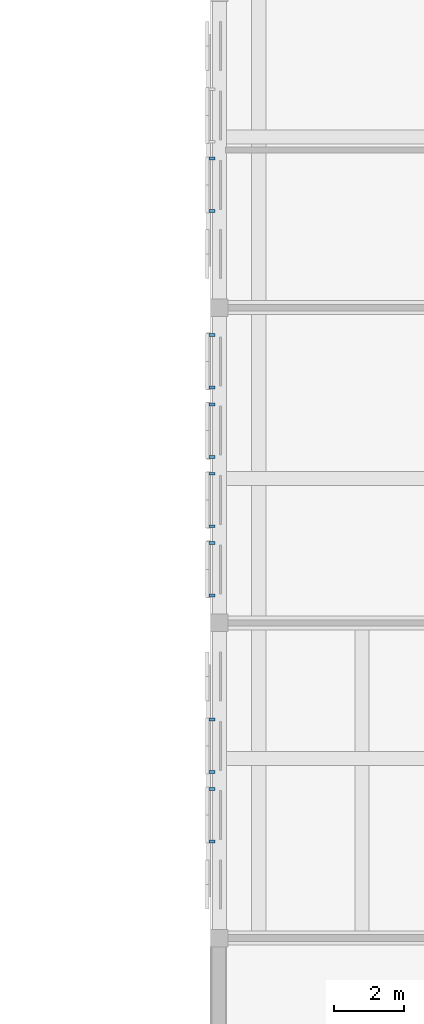
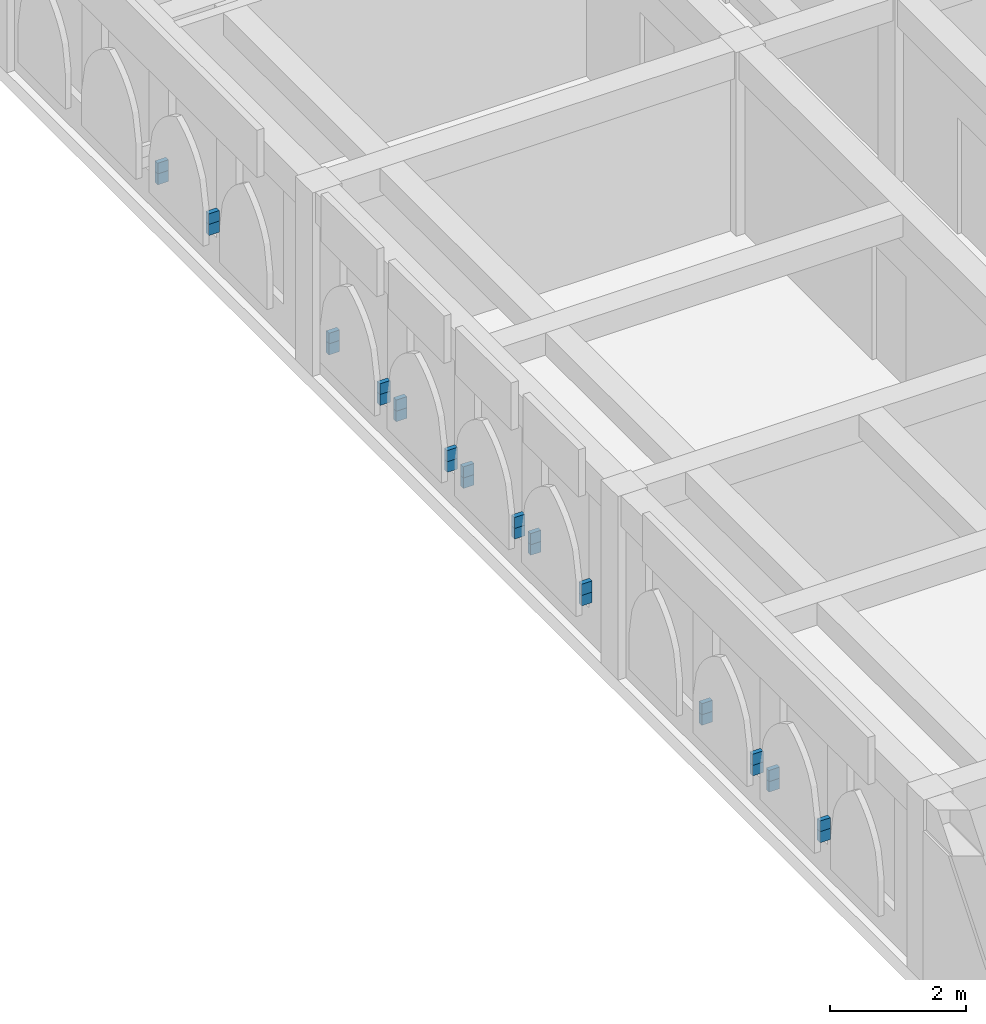
# One storey, part 34 of 50: 28 discrete accessories.
"""IFC4 building model written with IfcOpenShell, lengths in metres."""

from ifc_helpers import new_model, si_unit, direction, frame, origin, origin_2d, place, context, subcontext, project, spatial, rectangle, extrude, material, type_object, element, save


model = new_model("IFC4")

# Units and contexts
model_context = context("Model", 3, precision=1e-05, world=origin(), true_north=direction((0.0, 1.0)))
body_context = subcontext(model_context, "Body", "Model", "MODEL_VIEW")
ifc_project = project(units=[si_unit("LENGTHUNIT", "METRE"), si_unit("AREAUNIT", "SQUARE_METRE"), si_unit("VOLUMEUNIT", "CUBIC_METRE"), si_unit("PLANEANGLEUNIT", "RADIAN"), si_unit("MASSUNIT", "GRAM", prefix="KILO")], contexts=[model_context])

# Site, building, storey
site_placement = place(None, origin())
site = spatial("IfcSite", under=ifc_project, at=site_placement, CompositionType="ELEMENT")
building_placement = place(site_placement, origin())
building = spatial("IfcBuilding", under=site, at=building_placement, Name="Elbe Cascade School", CompositionType="ELEMENT")
storey_placement = place(building_placement, frame((0.0, 0.0, 15.300048828125)))
storey = spatial("IfcBuildingStorey", under=building, at=storey_placement, Name="L04", CompositionType="ELEMENT", Elevation=15.300048828125)

# Discrete accessories
ifc_material = material(Name="Steel S355J2, hot-dip galvanised", Category="steel")
discrete_accessory_type = type_object("IfcDiscreteAccessoryType", Name="Bars envelope Bracket, galvanised steel", PredefinedType="BRACKET", material=ifc_material)
for number, where, z_axis, x_axis, name in (
    (1, (68.7900390625, 17.760009765625, 0.75), (0.0, 0.0, 1.0), (0.0, 1.0, 0.0), "Bracket AC7 jali.w.2.br2ll"),
    (2, (68.7900390625, 17.760009765625, 0.93994140625), (0.0, 0.0, 1.0), (0.0, 1.0, 0.0), "Bracket AC7 jali.w.2.br2lu"),
    (3, (68.7900390625, 19.260009765625, 0.75), (0.0, 0.0, 1.0), (0.0, 1.0, 0.0), "Bracket AC7 jali.w.2.br2rl"),
    (4, (68.7900390625, 19.260009765625, 0.93994140625), (0.0, 0.0, 1.0), (0.0, 1.0, 0.0), "Bracket AC7 jali.w.2.br2ru"),
    (5, (68.7900390625, 19.739990234375, 0.75), (0.0, 0.0, 1.0), (0.0, 1.0, 0.0), "Bracket AC7 jali.w.2.br3ll"),
    (6, (68.7900390625, 19.739990234375, 0.93994140625), (0.0, 0.0, 1.0), (0.0, 1.0, 0.0), "Bracket AC7 jali.w.2.br3lu"),
    (7, (68.7900390625, 21.239990234375, 0.75), (0.0, 0.0, 1.0), (0.0, 1.0, 0.0), "Bracket AC7 jali.w.2.br3rl"),
    (8, (68.7900390625, 21.239990234375, 0.93994140625), (0.0, 0.0, 1.0), (0.0, 1.0, 0.0), "Bracket AC7 jali.w.2.br3ru"),
    (9, (68.7900390625, 24.780029296875, 0.75), (0.0, 0.0, 1.0), (0.0, 1.0, 0.0), "Bracket AC7 jali.w.3.br1ll"),
    (10, (68.7900390625, 24.780029296875, 0.93994140625), (0.0, 0.0, 1.0), (0.0, 1.0, 0.0), "Bracket AC7 jali.w.3.br1lu"),
    (11, (68.7900390625, 26.280029296875, 0.75), (0.0, 0.0, 1.0), (0.0, 1.0, 0.0), "Bracket AC7 jali.w.3.br1rl"),
    (12, (68.7900390625, 26.280029296875, 0.93994140625), (0.0, 0.0, 1.0), (0.0, 1.0, 0.0), "Bracket AC7 jali.w.3.br1ru"),
    (13, (68.7900390625, 26.760009765625, 0.75), (0.0, 0.0, 1.0), (0.0, 1.0, 0.0), "Bracket AC7 jali.w.3.br2ll"),
    (14, (68.7900390625, 26.760009765625, 0.93994140625), (0.0, 0.0, 1.0), (0.0, 1.0, 0.0), "Bracket AC7 jali.w.3.br2lu"),
    (15, (68.7900390625, 28.260009765625, 0.75), (0.0, 0.0, 1.0), (0.0, 1.0, 0.0), "Bracket AC7 jali.w.3.br2rl"),
    (16, (68.7900390625, 28.260009765625, 0.93994140625), (0.0, 0.0, 1.0), (0.0, 1.0, 0.0), "Bracket AC7 jali.w.3.br2ru"),
    (17, (68.7900390625, 28.739990234375, 0.75), (0.0, 0.0, 1.0), (0.0, 1.0, 0.0), "Bracket AC7 jali.w.3.br3ll"),
    (18, (68.7900390625, 28.739990234375, 0.93994140625), (0.0, 0.0, 1.0), (0.0, 1.0, 0.0), "Bracket AC7 jali.w.3.br3lu"),
    (19, (68.7900390625, 30.239990234375, 0.75), (0.0, 0.0, 1.0), (0.0, 1.0, 0.0), "Bracket AC7 jali.w.3.br3rl"),
    (20, (68.7900390625, 30.239990234375, 0.93994140625), (0.0, 0.0, 1.0), (0.0, 1.0, 0.0), "Bracket AC7 jali.w.3.br3ru"),
    (21, (68.7900390625, 30.719970703125, 0.75), (0.0, 0.0, 1.0), (0.0, 1.0, 0.0), "Bracket AC7 jali.w.3.br4ll"),
    (22, (68.7900390625, 30.719970703125, 0.93994140625), (0.0, 0.0, 1.0), (0.0, 1.0, 0.0), "Bracket AC7 jali.w.3.br4lu"),
    (23, (68.7900390625, 32.219970703125, 0.75), (0.0, 0.0, 1.0), (0.0, 1.0, 0.0), "Bracket AC7 jali.w.3.br4rl"),
    (24, (68.7900390625, 32.219970703125, 0.93994140625), (0.0, 0.0, 1.0), (0.0, 1.0, 0.0), "Bracket AC7 jali.w.3.br4ru"),
    (25, (68.7900390625, 35.760009765625, 0.75), (0.0, 0.0, 1.0), (0.0, 1.0, 0.0), "Bracket AC7 jali.w.4.br2ll"),
    (26, (68.7900390625, 35.760009765625, 0.93994140625), (0.0, 0.0, 1.0), (0.0, 1.0, 0.0), "Bracket AC7 jali.w.4.br2lu"),
    (27, (68.7900390625, 37.260009765625, 0.75), (0.0, 0.0, 1.0), (0.0, 1.0, 0.0), "Bracket AC7 jali.w.4.br2rl"),
    (28, (68.7900390625, 37.260009765625, 0.93994140625), (0.0, 0.0, 1.0), (0.0, 1.0, 0.0), "Bracket AC7 jali.w.4.br2ru"),
):
    element("IfcDiscreteAccessory", number, at=place(storey_placement, frame(where, z_axis=z_axis, x_axis=x_axis)), inside=storey, type_object=discrete_accessory_type, Name=name, PredefinedType="BRACKET", context=body_context, shape_type="SweptSolid", body=[
        extrude(rectangle(XDim=0.080078125, YDim=0.179931640625, at=origin_2d()), origin(), (0.0, 0.0, 1.0), 0.199951171875),
    ])

save(model, "model.ifc")
